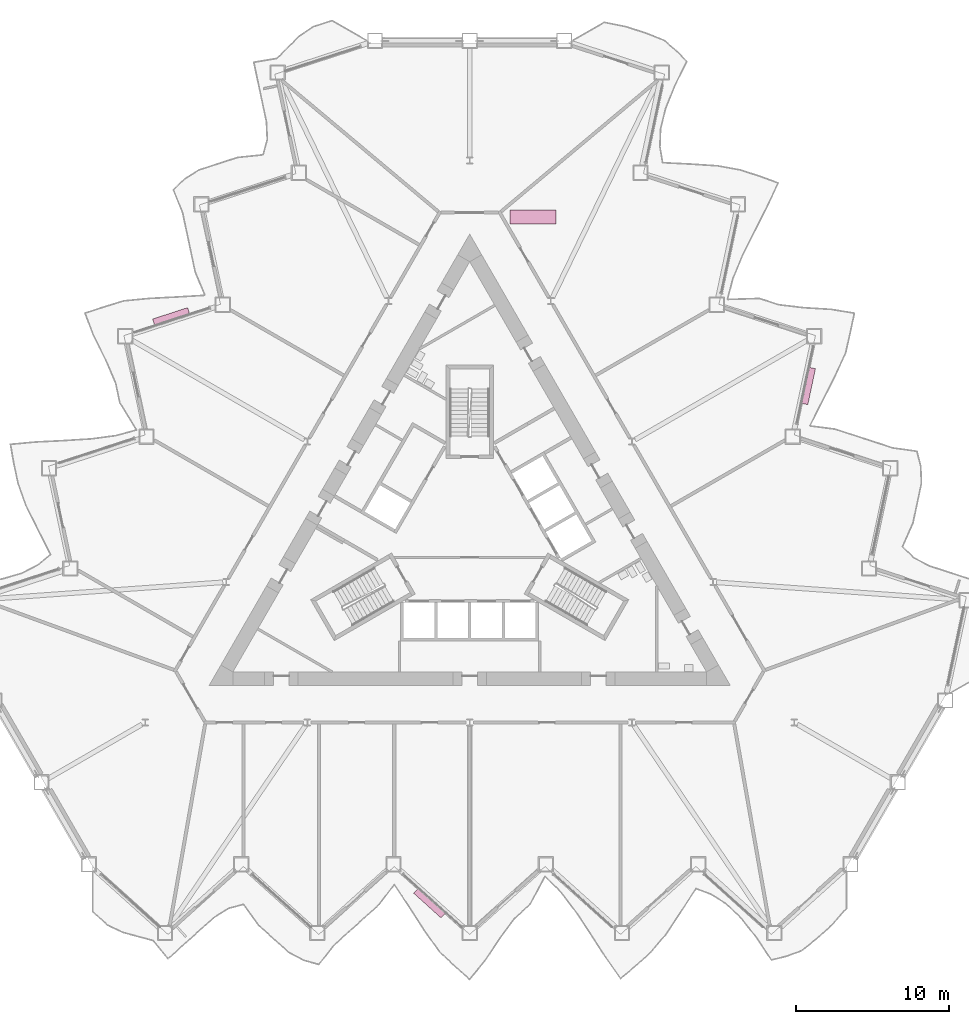
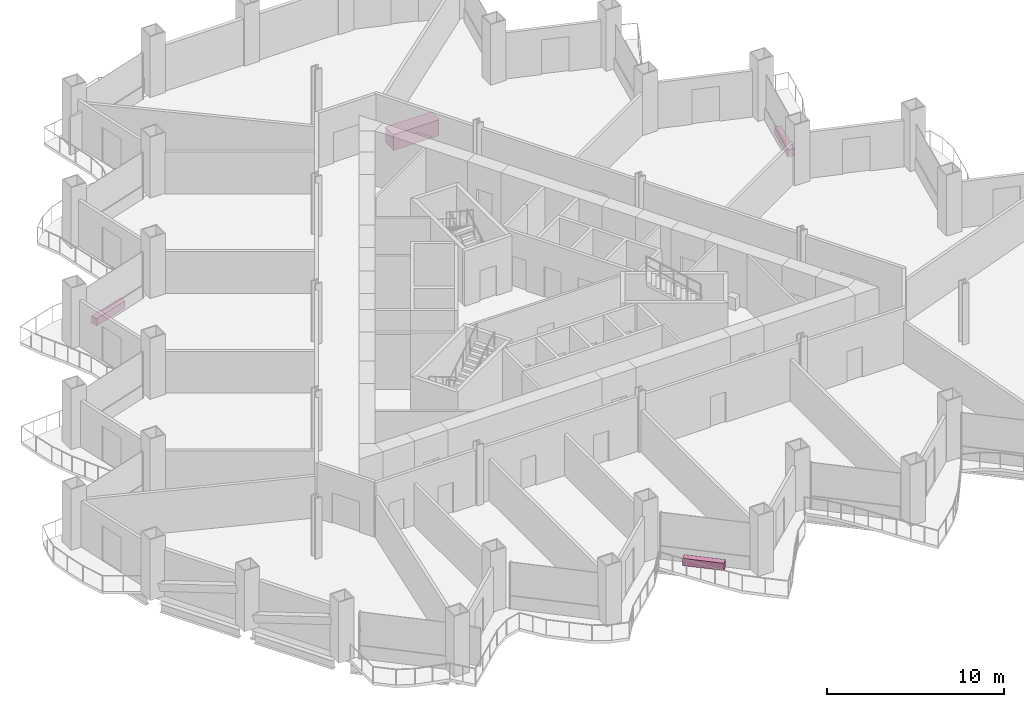
# One storey, part 21 of 21: 4 furniture elements.
"""IFC4 building model written with IfcOpenShell, lengths in metres."""

from ifc_helpers import new_model, si_unit, direction, frame, origin, origin_2d, place, context, subcontext, project, spatial, rectangle, extrude, material, type_object, element, save


model = new_model("IFC4")

# Units and contexts
model_context = context("Model", 3, precision=1e-05, world=origin(), true_north=direction((0.0, 1.0)))
body_context = subcontext(model_context, "Body", "Model", "MODEL_VIEW")
ifc_project = project(units=[si_unit("LENGTHUNIT", "METRE"), si_unit("AREAUNIT", "SQUARE_METRE"), si_unit("VOLUMEUNIT", "CUBIC_METRE"), si_unit("PLANEANGLEUNIT", "RADIAN"), si_unit("MASSUNIT", "GRAM", prefix="KILO")], contexts=[model_context])

# Site, building, storey
site_placement = place(None, origin())
site = spatial("IfcSite", under=ifc_project, at=site_placement, CompositionType="ELEMENT")
building_placement = place(site_placement, origin())
building = spatial("IfcBuilding", under=site, at=building_placement, Name="Cormorant Prow Tower", CompositionType="ELEMENT")
storey_placement = place(building_placement, frame((0.0, 0.0, 72.0)))
storey = spatial("IfcBuildingStorey", under=building, at=storey_placement, Name="L15", CompositionType="ELEMENT", Elevation=72.0)

# Furniture
ifc_material_1 = material(Name="Terracotta", Category="masonry")
furniture_type_1 = type_object("IfcFurnitureType", Name="Balcony planter 2400x400x500", AssemblyPlace="NOTDEFINED", PredefinedType="USERDEFINED", material=ifc_material_1)
for number, where, z_axis, x_axis, name in (
    (1, (-2.625732421875, -24.0009765625, 0.0), (0.0, 0.0, 1.0), (0.743144817746, -0.669130614945, 0.0), "Balcony planter S04"),
    (2, (22.098388671875, 9.7265625, 0.0), (0.0, 0.0, 1.0), (0.20791175581, 0.978147586919, 0.0), "Balcony planter ENE04"),
    (3, (-19.472412109375, 14.2744140625, 0.0), (0.0, 0.0, 1.0), (-0.951056531806, -0.309016946636, 0.0), "Balcony planter WNW04"),
):
    element("IfcFurniture", number, at=place(storey_placement, frame(where, z_axis=z_axis, x_axis=x_axis)), inside=storey, type_object=furniture_type_1, Name=name, ObjectType="PLANTER", PredefinedType="USERDEFINED", context=body_context, shape_type="SweptSolid", body=[
        extrude(rectangle(XDim=2.39990234375, YDim=0.39990234375, at=origin_2d()), origin(), (0.0, 0.0, 1.0), 0.5),
    ])
ifc_material_2 = material(Name="Timber joinery", Category="wood")
furniture_type_2 = type_object("IfcFurnitureType", Name="Reception desk 3000x900", AssemblyPlace="NOTDEFINED", PredefinedType="DESK", material=ifc_material_2)
furniture_placement = place(storey_placement, frame((4.13525390625, 20.74560546875, 0.0), z_axis=(0.0, 0.0, 1.0), x_axis=(1.0, 0.0, 0.0)))
element("IfcFurniture", 4, at=furniture_placement, inside=storey, type_object=furniture_type_2, Name="Reception desk", PredefinedType="DESK", context=body_context, shape_type="SweptSolid", body=[
    extrude(rectangle(XDim=3.0, YDim=0.89990234375, at=origin_2d()), origin(), (0.0, 0.0, 1.0), 1.10009765625),
])

save(model, "model.ifc")
